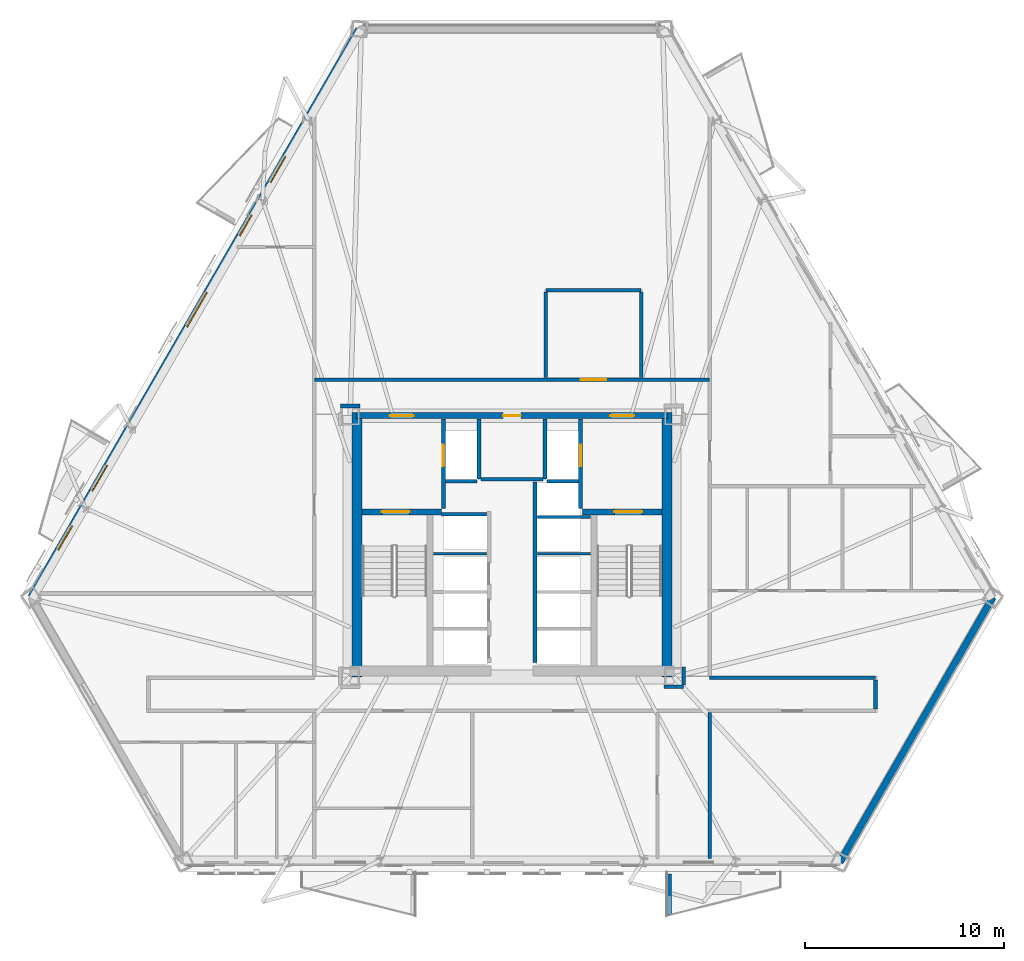
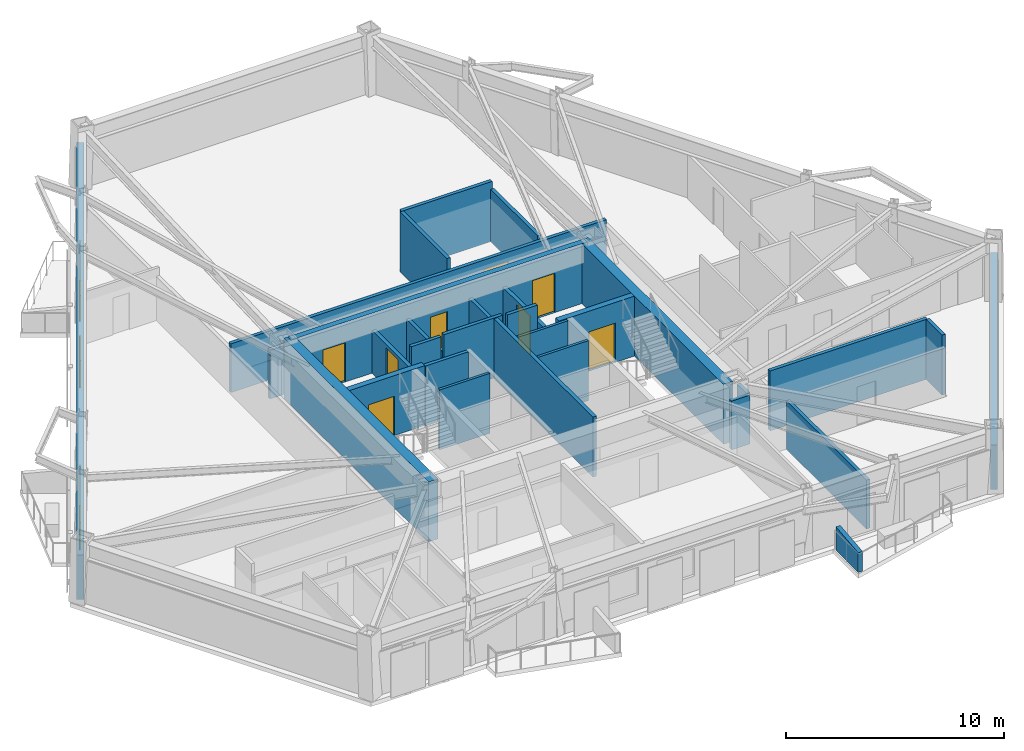
# One storey, part 4 of 13: 30 walls, 10 doors, 3 windows, 13 openings.
"""IFC4 building model written with IfcOpenShell, lengths in metres."""

from ifc_helpers import new_model, si_unit, direction, frame, frame_2d, origin, place, context, subcontext, project, spatial, polyline, rectangle, outline, extrude, material, layer, layer_set, type_object, element, fill, save


model = new_model("IFC4")

# Units and contexts
model_context = context("Model", 3, precision=1e-05, world=origin(), true_north=direction((0.0, 1.0)))
body_context = subcontext(model_context, "Body", "Model", "MODEL_VIEW")
ifc_project = project(units=[si_unit("LENGTHUNIT", "METRE"), si_unit("AREAUNIT", "SQUARE_METRE"), si_unit("VOLUMEUNIT", "CUBIC_METRE"), si_unit("PLANEANGLEUNIT", "RADIAN"), si_unit("MASSUNIT", "GRAM", prefix="KILO")], contexts=[model_context])

# Site, building, storey
site_placement = place(None, origin())
site = spatial("IfcSite", under=ifc_project, at=site_placement, CompositionType="ELEMENT")
building_placement = place(site_placement, origin())
building = spatial("IfcBuilding", under=site, at=building_placement, Name="Oramaril Tower", CompositionType="ELEMENT")
storey_placement = place(building_placement, frame((0.0, 0.0, 38.10009765625)))
storey = spatial("IfcBuildingStorey", under=building, at=storey_placement, Name="L09", CompositionType="ELEMENT", Elevation=38.10009765625)

# Wall
ifc_material_1 = material(Name="Warm Cream Limestone", Category="masonry")
ifc_layer_1 = layer(ifc_material_1, 0.340087890625)
ifc_layer_set_1 = layer_set([ifc_layer_1], Name="WT-EXT34")
wall_type_1 = type_object("IfcWallType", Name="WT-EXT34", PredefinedType="SOLIDWALL", material=ifc_layer_set_1)
wall_1_placement = place(storey_placement, frame((54.010986328125, 1.673828125, 0.0), z_axis=(0.0, 0.0, 1.0), x_axis=(0.499993183949, 0.866029338997, 0.0)))
element("IfcWall", 1, at=wall_1_placement, inside=storey, type_object=wall_type_1, Name="L09 Tower Limestone Facade Wall 3M", PredefinedType="SOLIDWALL", context=body_context, shape_type="SweptSolid", body=[
    extrude(rectangle(XDim=15.404052734375, YDim=0.340087890625, at=frame_2d((7.7021484375, 0.0))), origin(), (0.0, 0.0, 1.0), 2.493896484375),
])

# Wall, openings, doors, windows
wall_2_placement = place(storey_placement, frame((29.7978515625, 43.61181640625, 0.0), z_axis=(0.0, 0.0, 1.0), x_axis=(-0.499997221217, -0.86602700811, 0.0)))
wall_2 = element("IfcWall", 2, at=wall_2_placement, inside=storey, type_object=wall_type_1, Name="L09 Tower Limestone Facade Wall 6M", PredefinedType="SOLIDWALL", context=body_context, shape_type="SweptSolid", body=[
    extrude(rectangle(XDim=33.021728515625, YDim=0.340087890625, at=frame_2d((16.5107421875, 0.0))), origin(), (0.0, 0.0, 1.0), 2.493896484375),
])
opening_1_placement = place(wall_2_placement, frame((7.404296875, 0.0, 0.0)))
opening_1 = element("IfcOpeningElement", 3, at=opening_1_placement, cuts=wall_2, Name="Opening D-L09-BAL-NW1", PredefinedType="OPENING", context=body_context, shape_type="SweptSolid", body=[
    extrude(rectangle(XDim=1.5, YDim=2.199951171875, at=frame_2d((0.75, 1.10009765625))), frame((0.0, 0.169921875, 0.0), z_axis=(0.0, -1.0, 0.0), x_axis=(1.0, 0.0, 0.0)), (0.0, 0.0, 1.0), 0.340087890625),
])
opening_2_placement = place(wall_2_placement, frame((25.3623046875, 0.0, 0.0)))
opening_2 = element("IfcOpeningElement", 4, at=opening_2_placement, cuts=wall_2, Name="Opening D-L09-BAL-NW2", PredefinedType="OPENING", context=body_context, shape_type="SweptSolid", body=[
    extrude(rectangle(XDim=1.5, YDim=2.199951171875, at=frame_2d((0.75, 1.10009765625))), frame((0.0, 0.169921875, 0.0), z_axis=(0.0, -1.0, 0.0), x_axis=(1.0, 0.0, 0.0)), (0.0, 0.0, 1.0), 0.340087890625),
])
opening_3_placement = place(wall_2_placement, frame((15.3154296875, 0.0, 0.85009765625)))
opening_3 = element("IfcOpeningElement", 5, at=opening_3_placement, cuts=wall_2, Name="Opening WN-05", PredefinedType="OPENING", context=body_context, shape_type="SweptSolid", body=[
    extrude(rectangle(XDim=2.0, YDim=1.533935546875, at=frame_2d((1.0, 0.76708984375))), frame((0.0, 0.169921875, 0.0), z_axis=(0.0, -1.0, 0.0), x_axis=(1.0, 0.0, 0.0)), (0.0, 0.0, 1.0), 0.340087890625),
])
opening_4_placement = place(wall_2_placement, frame((28.87890625, 0.0, 0.85009765625)))
opening_4 = element("IfcOpeningElement", 6, at=opening_4_placement, cuts=wall_2, Name="Opening WN-08", PredefinedType="OPENING", context=body_context, shape_type="SweptSolid", body=[
    extrude(rectangle(XDim=1.39990234375, YDim=1.533935546875, at=frame_2d((0.699951171875, 0.76708984375))), frame((0.0, 0.169921875, 0.0), z_axis=(0.0, -1.0, 0.0), x_axis=(1.0, 0.0, 0.0)), (0.0, 0.0, 1.0), 0.340087890625),
])
opening_5_placement = place(wall_2_placement, frame((10.808349609375, 0.0, 0.85009765625)))
opening_5 = element("IfcOpeningElement", 7, at=opening_5_placement, cuts=wall_2, Name="Opening WN-09", PredefinedType="OPENING", context=body_context, shape_type="SweptSolid", body=[
    extrude(rectangle(XDim=1.199951171875, YDim=1.47998046875, at=frame_2d((0.60009765625, 0.739990234375))), frame((0.0, 0.169921875, 0.0), z_axis=(0.0, -1.0, 0.0), x_axis=(1.0, 0.0, 0.0)), (0.0, 0.0, 1.0), 0.340087890625),
])
ifc_material_2 = material(Name="Anodised Aluminium 6063-T6", Category="aluminium")
door_type_1 = type_object("IfcDoorType", Name="DT-BAL", OperationType="NOTDEFINED", PredefinedType="DOOR", material=ifc_material_2)
door_1_placement = place(opening_1_placement, origin())
door_1 = element("IfcDoor", 8, at=door_1_placement, inside=storey, type_object=door_type_1, Name="L09 Balcony Glazed Door L09-BAL-NW1", OperationType="SINGLE_SWING_RIGHT", OverallHeight=2.199951171875, OverallWidth=1.5, PredefinedType="DOOR", context=body_context, shape_type="SweptSolid", body=[
    extrude(rectangle(XDim=1.5, YDim=2.199951171875, at=frame_2d((0.75, 1.10009765625))), frame((0.0, 0.02490234375, 0.0), z_axis=(0.0, -1.0, 0.0), x_axis=(1.0, 0.0, 0.0)), (0.0, 0.0, 1.0), 0.050048828125),
])
fill(opening_1, door_1)
door_2_placement = place(opening_2_placement, origin())
door_2 = element("IfcDoor", 9, at=door_2_placement, inside=storey, type_object=door_type_1, Name="L09 Balcony Glazed Door L09-BAL-NW2", OperationType="SINGLE_SWING_LEFT", OverallHeight=2.199951171875, OverallWidth=1.5, PredefinedType="DOOR", context=body_context, shape_type="SweptSolid", body=[
    extrude(rectangle(XDim=1.5, YDim=2.199951171875, at=frame_2d((0.75, 1.10009765625))), frame((0.0, 0.02490234375, 0.0), z_axis=(0.0, -1.0, 0.0), x_axis=(1.0, 0.0, 0.0)), (0.0, 0.0, 1.0), 0.050048828125),
])
fill(opening_2, door_2)
ifc_material_3 = material(Name="Coastal Low-E Insulated Glass", Category="glass")
window_type_1 = type_object("IfcWindowType", Name="WNT-05", PartitioningType="SINGLE_PANEL", PredefinedType="WINDOW", material=ifc_material_3)
window_1_placement = place(opening_3_placement, origin())
window_1 = element("IfcWindow", 10, at=window_1_placement, inside=storey, type_object=window_type_1, Name="L09 Chicago Bay Window WN-05", OverallHeight=1.533935546875, OverallWidth=2.0, PartitioningType="SINGLE_PANEL", PredefinedType="WINDOW", context=body_context, shape_type="SweptSolid", body=[
    extrude(rectangle(XDim=2.0, YDim=1.533935546875, at=frame_2d((1.0, 0.76708984375))), frame((0.0, 0.030029296875, 0.0), z_axis=(0.0, -1.0, 0.0), x_axis=(1.0, 0.0, 0.0)), (0.0, 0.0, 1.0), 0.06005859375),
])
fill(opening_3, window_1)
ifc_material_4 = material(Name="Coastal Low-E Insulated Glass", Category="glass")
window_type_2 = type_object("IfcWindowType", Name="WNT-08", PartitioningType="SINGLE_PANEL", PredefinedType="WINDOW", material=ifc_material_4)
window_2_placement = place(opening_4_placement, origin())
window_2 = element("IfcWindow", 11, at=window_2_placement, inside=storey, type_object=window_type_2, Name="L09 Chicago Bay Window WN-08", OverallHeight=1.533935546875, OverallWidth=1.39990234375, PartitioningType="SINGLE_PANEL", PredefinedType="WINDOW", context=body_context, shape_type="SweptSolid", body=[
    extrude(rectangle(XDim=1.39990234375, YDim=1.533935546875, at=frame_2d((0.699951171875, 0.76708984375))), frame((0.0, 0.030029296875, 0.0), z_axis=(0.0, -1.0, 0.0), x_axis=(1.0, 0.0, 0.0)), (0.0, 0.0, 1.0), 0.06005859375),
])
fill(opening_4, window_2)
ifc_material_5 = material(Name="Coastal Low-E Insulated Glass", Category="glass")
window_type_3 = type_object("IfcWindowType", Name="WNT-09", PartitioningType="SINGLE_PANEL", PredefinedType="WINDOW", material=ifc_material_5)
window_3_placement = place(opening_5_placement, origin())
window_3 = element("IfcWindow", 12, at=window_3_placement, inside=storey, type_object=window_type_3, Name="L09 Chicago Bay Window WN-09", OverallHeight=1.47998046875, OverallWidth=1.199951171875, PartitioningType="SINGLE_PANEL", PredefinedType="WINDOW", context=body_context, shape_type="SweptSolid", body=[
    extrude(rectangle(XDim=1.199951171875, YDim=1.47998046875, at=frame_2d((0.60009765625, 0.739990234375))), frame((0.0, 0.030029296875, 0.0), z_axis=(0.0, -1.0, 0.0), x_axis=(1.0, 0.0, 0.0)), (0.0, 0.0, 1.0), 0.06005859375),
])
fill(opening_5, window_3)

# Walls
ifc_material_6 = material(Name="Concrete C40/50", Category="concrete")
ifc_layer_2 = layer(ifc_material_6, 0.22998046875)
ifc_layer_set_2 = layer_set([ifc_layer_2], Name="WT-PRP23")
wall_type_2 = type_object("IfcWallType", Name="WT-PRP23", PredefinedType="PARAPET", material=ifc_layer_set_2)
wall_3_placement = place(storey_placement, frame((45.406494140625, 1.07568359375, 0.0), z_axis=(0.0, 0.0, 1.0), x_axis=(0.0, -1.0, 0.0)))
element("IfcWall", 13, at=wall_3_placement, inside=storey, type_object=wall_type_2, Name="L09 Trapezoidal Balcony Frame Cheek L09-BAL-S2-L", PredefinedType="PARAPET", context=body_context, shape_type="SweptSolid", body=[
    extrude(outline(polyline([(0.0, 0.0), (2.0419921875, 0.0), (2.0419921875, 1.099853515625), (0.0, 1.31982421875), (0.0, 0.0)])), frame((0.0, 0.114990234375, 0.0), z_axis=(0.0, -1.0, 0.0), x_axis=(1.0, 0.0, 0.0)), (0.0, 0.0, 1.0), 0.22998046875),
])
ifc_material_7 = material(Name="Acoustic Gypsum Board Partition")
ifc_layer_3 = layer(ifc_material_7, 0.139892578125)
ifc_layer_set_3 = layer_set([ifc_layer_3], Name="WT-PT14")
wall_type_3 = type_object("IfcWallType", Name="WT-PT14", PredefinedType="PARTITIONING", material=ifc_layer_set_3)
for number, where, z_axis, x_axis, name in (
    (14, (33.56005859375, 17.199951171875, 0.0), (0.0, 0.0, 1.0), (1.0, 0.0, 0.0), "L09 West Lift Divider"),
    (15, (38.780029296875, 17.199951171875, 0.0), (0.0, 0.0, 1.0), (1.0, 0.0, 0.0), "L09 East Lift Divider"),
    (16, (38.780029296875, 19.050048828125, 0.0), (0.0, 0.0, 1.0), (1.0, 0.0, 0.0), "L09 East Lift Divider"),
):
    element("IfcWall", number, at=place(storey_placement, frame(where, z_axis=z_axis, x_axis=x_axis)), inside=storey, type_object=wall_type_3, Name=name, PredefinedType="PARTITIONING", context=body_context, shape_type="SweptSolid", body=[
        extrude(rectangle(XDim=2.659912109375, YDim=0.139892578125, at=frame_2d((1.330078125, 0.0))), origin(), (0.0, 0.0, 1.0), 3.35986328125),
    ])
ifc_material_8 = material(Name="Autoclaved Cellular Concrete Block", Category="concrete")
ifc_layer_4 = layer(ifc_material_8, 0.179931640625)
ifc_layer_set_4 = layer_set([ifc_layer_4], Name="WT-PT18")
wall_type_4 = type_object("IfcWallType", Name="WT-PT18", PredefinedType="PARTITIONING", material=ifc_layer_set_4)
wall_4_placement = place(storey_placement, frame((35.840087890625, 20.9599609375, 0.0), z_axis=(0.0, 0.0, 1.0), x_axis=(0.0, 1.0, 0.0)))
element("IfcWall", 17, at=wall_4_placement, inside=storey, type_object=wall_type_4, Name="L09 FL-1 East Shaft Wall", PredefinedType="PARTITIONING", context=body_context, shape_type="SweptSolid", body=[
    extrude(rectangle(XDim=3.02001953125, YDim=0.179931640625, at=frame_2d((1.510009765625, 0.0))), origin(), (0.0, 0.0, 1.0), 2.39990234375),
])
wall_5_placement = place(storey_placement, frame((34.159912109375, 20.860107421875, 0.0), z_axis=(0.0, 0.0, 1.0), x_axis=(1.0, 0.0, 0.0)))
element("IfcWall", 18, at=wall_5_placement, inside=storey, type_object=wall_type_4, Name="L09 FL-1 South Shaft Wall", PredefinedType="PARTITIONING", context=body_context, shape_type="SweptSolid", body=[
    extrude(rectangle(XDim=1.580078125, YDim=0.179931640625, at=frame_2d((0.7900390625, 0.0))), origin(), (0.0, 0.0, 1.0), 3.35986328125),
])
wall_6_placement = place(storey_placement, frame((39.159912109375, 20.9599609375, 0.0), z_axis=(0.0, 0.0, 1.0), x_axis=(0.0, 1.0, 0.0)))
element("IfcWall", 19, at=wall_6_placement, inside=storey, type_object=wall_type_4, Name="L09 FL-2 West Shaft Wall", PredefinedType="PARTITIONING", context=body_context, shape_type="SweptSolid", body=[
    extrude(rectangle(XDim=3.02001953125, YDim=0.179931640625, at=frame_2d((1.510009765625, 0.0))), origin(), (0.0, 0.0, 1.0), 2.39990234375),
])
wall_7_placement = place(storey_placement, frame((39.260009765625, 20.860107421875, 0.0), z_axis=(0.0, 0.0, 1.0), x_axis=(1.0, 0.0, 0.0)))
element("IfcWall", 20, at=wall_7_placement, inside=storey, type_object=wall_type_4, Name="L09 FL-2 South Shaft Wall", PredefinedType="PARTITIONING", context=body_context, shape_type="SweptSolid", body=[
    extrude(rectangle(XDim=1.580078125, YDim=0.179931640625, at=frame_2d((0.7900390625, 0.0))), origin(), (0.0, 0.0, 1.0), 3.35986328125),
])
wall_8_placement = place(storey_placement, frame((33.949951171875, 19.199951171875, 0.0), z_axis=(0.0, 0.0, 1.0), x_axis=(1.0, 0.0, 0.0)))
element("IfcWall", 21, at=wall_8_placement, inside=storey, type_object=wall_type_4, Name="L09 High-Rise Lift H1 North Shaft Wall", PredefinedType="PARTITIONING", context=body_context, shape_type="SweptSolid", body=[
    extrude(rectangle(XDim=2.27001953125, YDim=0.179931640625, at=frame_2d((1.135009765625, 0.0))), origin(), (0.0, 0.0, 1.0), 3.35986328125),
])
wall_9_placement = place(storey_placement, frame((35.949951171875, 20.949951171875, 0.0), z_axis=(0.0, 0.0, 1.0), x_axis=(1.0, 0.0, 0.0)))
element("IfcWall", 22, at=wall_9_placement, inside=storey, type_object=wall_type_4, Name="L09 Lift Lobby North Partition", PredefinedType="PARTITIONING", context=body_context, shape_type="SweptSolid", body=[
    extrude(rectangle(XDim=3.10009765625, YDim=0.179931640625, at=frame_2d((1.550048828125, 0.0))), origin(), (0.0, 0.0, 1.0), 3.35986328125),
])
wall_10_placement = place(storey_placement, frame((45.159912109375, 10.510009765625, 0.0), z_axis=(0.0, 0.0, 1.0), x_axis=(1.0, 0.0, 0.0)))
element("IfcWall", 23, at=wall_10_placement, inside=storey, type_object=wall_type_4, Name="L09 Interior Partition PT-18", PredefinedType="PARTITIONING", context=body_context, shape_type="SweptSolid", body=[
    extrude(rectangle(XDim=0.97998046875, YDim=0.179931640625, at=frame_2d((0.489990234375, 0.0))), origin(), (0.0, 0.0, 1.0), 2.73779296875),
])
wall_11_placement = place(storey_placement, frame((47.449951171875, 10.949951171875, 0.0), z_axis=(0.0, 0.0, 1.0), x_axis=(1.0, 0.0, 0.0)))
element("IfcWall", 24, at=wall_11_placement, inside=storey, type_object=wall_type_4, Name="L09 Interior Partition PT-18", PredefinedType="PARTITIONING", context=body_context, shape_type="SweptSolid", body=[
    extrude(rectangle(XDim=8.35009765625, YDim=0.179931640625, at=frame_2d((4.175048828125, 0.0))), origin(), (0.0, 0.0, 1.0), 3.35986328125),
])
wall_12_placement = place(storey_placement, frame((28.85498046875, 24.639892578125, 0.0), z_axis=(0.0, 0.0, 1.0), x_axis=(1.0, 0.0, 0.0)))
element("IfcWall", 25, at=wall_12_placement, inside=storey, type_object=wall_type_4, Name="L09 Interior Partition PT-18", PredefinedType="PARTITIONING", context=body_context, shape_type="SweptSolid", body=[
    extrude(rectangle(XDim=0.989990234375, YDim=0.179931640625, at=frame_2d((0.4951171875, 0.0))), origin(), (0.0, 0.0, 1.0), 2.73779296875),
])

# Wall, opening, door
wall_13_placement = place(storey_placement, frame((27.550048828125, 25.969970703125, 0.0), z_axis=(0.0, 0.0, 1.0), x_axis=(1.0, 0.0, 0.0)))
wall_13 = element("IfcWall", 26, at=wall_13_placement, inside=storey, type_object=wall_type_4, Name="L09 Interior Partition PT-18", PredefinedType="PARTITIONING", context=body_context, shape_type="SweptSolid", body=[
    extrude(rectangle(XDim=19.89990234375, YDim=0.179931640625, at=frame_2d((9.949951171875, 0.0))), origin(), (0.0, 0.0, 1.0), 2.73779296875),
])
opening_6_placement = place(wall_13_placement, frame((13.39990234375, 0.0, 0.0)))
opening_6 = element("IfcOpeningElement", 27, at=opening_6_placement, cuts=wall_13, Name="Opening D-L09-15", PredefinedType="OPENING", context=body_context, shape_type="SweptSolid", body=[
    extrude(rectangle(XDim=1.300048828125, YDim=2.199951171875, at=frame_2d((0.64990234375, 1.10009765625))), frame((0.0, 0.08984375, 0.0), z_axis=(0.0, -1.0, 0.0), x_axis=(1.0, 0.0, 0.0)), (0.0, 0.0, 1.0), 0.179931640625),
])
ifc_material_9 = material(Name="FSC Brazilian Freijo Hardwood", Category="wood")
door_type_2 = type_object("IfcDoorType", Name="DT-COM", OperationType="NOTDEFINED", PredefinedType="DOOR", material=ifc_material_9)
door_3_placement = place(opening_6_placement, origin())
door_3 = element("IfcDoor", 28, at=door_3_placement, inside=storey, type_object=door_type_2, Name="L09 L09 Residents Floor Meeting Suite Door D-L09-15", OperationType="SINGLE_SWING_LEFT", OverallHeight=2.199951171875, OverallWidth=1.300048828125, PredefinedType="DOOR", context=body_context, shape_type="SweptSolid", body=[
    extrude(rectangle(XDim=1.300048828125, YDim=2.199951171875, at=frame_2d((0.64990234375, 1.10009765625))), frame((0.0, 0.02490234375, 0.0), z_axis=(0.0, -1.0, 0.0), x_axis=(1.0, 0.0, 0.0)), (0.0, 0.0, 1.0), 0.050048828125),
])
fill(opening_6, door_3)

# Walls
wall_14_placement = place(storey_placement, frame((39.199951171875, 30.469970703125, 0.0), z_axis=(0.0, 0.0, 1.0), x_axis=(1.0, 0.0, 0.0)))
element("IfcWall", 29, at=wall_14_placement, inside=storey, type_object=wall_type_4, Name="L09 Interior Partition PT-18", PredefinedType="PARTITIONING", context=body_context, shape_type="SweptSolid", body=[
    extrude(rectangle(XDim=4.800048828125, YDim=0.179931640625, at=frame_2d((2.39990234375, 0.0))), origin(), (0.0, 0.0, 1.0), 3.35986328125),
])
wall_15_placement = place(storey_placement, frame((39.199951171875, 26.06396484375, 0.0), z_axis=(0.0, 0.0, 1.0), x_axis=(0.0, 1.0, 0.0)))
element("IfcWall", 30, at=wall_15_placement, inside=storey, type_object=wall_type_4, Name="L09 Interior Partition PT-18", PredefinedType="PARTITIONING", context=body_context, shape_type="SweptSolid", body=[
    extrude(rectangle(XDim=4.31201171875, YDim=0.179931640625, at=frame_2d((2.156005859375, 0.0))), origin(), (0.0, 0.0, 1.0), 3.35986328125),
])
wall_16_placement = place(storey_placement, frame((44.0, 26.06396484375, 0.0), z_axis=(0.0, 0.0, 1.0), x_axis=(0.0, 1.0, 0.0)))
element("IfcWall", 31, at=wall_16_placement, inside=storey, type_object=wall_type_4, Name="L09 Interior Partition PT-18", PredefinedType="PARTITIONING", context=body_context, shape_type="SweptSolid", body=[
    extrude(rectangle(XDim=4.31201171875, YDim=0.179931640625, at=frame_2d((2.156005859375, 0.0))), origin(), (0.0, 0.0, 1.0), 2.94580078125),
])
wall_17_placement = place(storey_placement, frame((46.14990234375, 10.60400390625, 0.0), z_axis=(0.0, 0.0, 1.0), x_axis=(0.0, 1.0, 0.0)))
element("IfcWall", 32, at=wall_17_placement, inside=storey, type_object=wall_type_4, Name="L09 Interior Partition PT-18", PredefinedType="PARTITIONING", context=body_context, shape_type="SweptSolid", body=[
    extrude(rectangle(XDim=0.89111328125, YDim=0.179931640625, at=frame_2d((0.445556640625, 0.0))), origin(), (0.0, 0.0, 1.0), 2.73779296875),
])
wall_18_placement = place(storey_placement, frame((47.449951171875, 1.847900390625, 0.0), z_axis=(0.0, 0.0, 1.0), x_axis=(0.0, 1.0, 0.0)))
element("IfcWall", 33, at=wall_18_placement, inside=storey, type_object=wall_type_4, Name="L09 Interior Partition PT-18", PredefinedType="PARTITIONING", context=body_context, shape_type="SweptSolid", body=[
    extrude(rectangle(XDim=7.358154296875, YDim=0.179931640625, at=frame_2d((3.67919921875, 0.0))), origin(), (0.0, 0.0, 1.0), 2.73779296875),
])
wall_19_placement = place(storey_placement, frame((55.800048828125, 9.39404296875, 0.0), z_axis=(0.0, 0.0, 1.0), x_axis=(0.0, 1.0, 0.0)))
element("IfcWall", 34, at=wall_19_placement, inside=storey, type_object=wall_type_4, Name="L09 Interior Partition PT-18", PredefinedType="PARTITIONING", context=body_context, shape_type="SweptSolid", body=[
    extrude(rectangle(XDim=1.4619140625, YDim=0.179931640625, at=frame_2d((0.73095703125, 0.0))), origin(), (0.0, 0.0, 1.0), 3.35986328125),
])

# Wall, openings, doors
ifc_material_10 = material(Name="Concrete C50/60", Category="concrete")
ifc_layer_5 = layer(ifc_material_10, 0.300048828125)
ifc_layer_set_5 = layer_set([ifc_layer_5], Name="WT-SH30")
wall_type_5 = type_object("IfcWallType", Name="WT-SH30", PredefinedType="SHEAR", material=ifc_layer_set_5)
wall_20_placement = place(storey_placement, frame((29.64990234375, 24.14990234375, 0.0), z_axis=(0.0, 0.0, 1.0), x_axis=(1.0, 0.0, 0.0)))
wall_20 = element("IfcWall", 35, at=wall_20_placement, inside=storey, type_object=wall_type_5, Name="L09 Core Shear Wall CW-N", PredefinedType="SHEAR", context=body_context, shape_type="SweptSolid", body=[
    extrude(rectangle(XDim=15.7001953125, YDim=0.300048828125, at=frame_2d((7.85009765625, 0.0))), origin(), (0.0, 0.0, 1.0), 3.35986328125),
])
opening_7_placement = place(wall_20_placement, frame((1.699951171875, 0.0, 0.0)))
opening_7 = element("IfcOpeningElement", 36, at=opening_7_placement, cuts=wall_20, Name="Opening D-L09-FFL1", PredefinedType="OPENING", context=body_context, shape_type="SweptSolid", body=[
    extrude(rectangle(XDim=1.199951171875, YDim=2.199951171875, at=frame_2d((0.60009765625, 1.10009765625))), frame((0.0, 0.14990234375, 0.0), z_axis=(0.0, -1.0, 0.0), x_axis=(1.0, 0.0, 0.0)), (0.0, 0.0, 1.0), 0.300048828125),
])
opening_8_placement = place(wall_20_placement, frame((12.800048828125, 0.0, 0.0)))
opening_8 = element("IfcOpeningElement", 37, at=opening_8_placement, cuts=wall_20, Name="Opening D-L09-FFL2", PredefinedType="OPENING", context=body_context, shape_type="SweptSolid", body=[
    extrude(rectangle(XDim=1.199951171875, YDim=2.199951171875, at=frame_2d((0.60009765625, 1.10009765625))), frame((0.0, 0.14990234375, 0.0), z_axis=(0.0, -1.0, 0.0), x_axis=(1.0, 0.0, 0.0)), (0.0, 0.0, 1.0), 0.300048828125),
])
opening_9_placement = place(wall_20_placement, frame((7.39990234375, 0.0, 0.0)))
opening_9 = element("IfcOpeningElement", 38, at=opening_9_placement, cuts=wall_20, Name="Opening D-L09-SV1", PredefinedType="OPENING", context=body_context, shape_type="SweptSolid", body=[
    extrude(rectangle(XDim=0.89990234375, YDim=2.050048828125, at=frame_2d((0.449951171875, 1.02490234375))), frame((0.0, 0.14990234375, 0.0), z_axis=(0.0, -1.0, 0.0), x_axis=(1.0, 0.0, 0.0)), (0.0, 0.0, 1.0), 0.300048828125),
])
ifc_material_11 = material(Name="Painted Galvanised Steel", Category="steel")
door_type_3 = type_object("IfcDoorType", Name="DT-FFL", OperationType="NOTDEFINED", PredefinedType="DOOR", material=ifc_material_11)
door_4_placement = place(opening_7_placement, origin())
door_4 = element("IfcDoor", 39, at=door_4_placement, inside=storey, type_object=door_type_3, Name="L09 Firefighting Lobby 1 Fire Door", OperationType="SINGLE_SWING_LEFT", OverallHeight=2.199951171875, OverallWidth=1.199951171875, PredefinedType="DOOR", context=body_context, shape_type="SweptSolid", body=[
    extrude(rectangle(XDim=1.199951171875, YDim=2.199951171875, at=frame_2d((0.60009765625, 1.10009765625))), frame((0.0, 0.02490234375, 0.0), z_axis=(0.0, -1.0, 0.0), x_axis=(1.0, 0.0, 0.0)), (0.0, 0.0, 1.0), 0.050048828125),
])
fill(opening_7, door_4)
door_5_placement = place(opening_8_placement, origin())
door_5 = element("IfcDoor", 40, at=door_5_placement, inside=storey, type_object=door_type_3, Name="L09 Firefighting Lobby 2 Fire Door", OperationType="SINGLE_SWING_RIGHT", OverallHeight=2.199951171875, OverallWidth=1.199951171875, PredefinedType="DOOR", context=body_context, shape_type="SweptSolid", body=[
    extrude(rectangle(XDim=1.199951171875, YDim=2.199951171875, at=frame_2d((0.60009765625, 1.10009765625))), frame((0.0, 0.02490234375, 0.0), z_axis=(0.0, -1.0, 0.0), x_axis=(1.0, 0.0, 0.0)), (0.0, 0.0, 1.0), 0.050048828125),
])
fill(opening_8, door_5)
ifc_material_12 = material(Name="Painted Galvanised Steel", Category="steel")
door_type_4 = type_object("IfcDoorType", Name="DT-SVC", OperationType="NOTDEFINED", PredefinedType="DOOR", material=ifc_material_12)
door_6_placement = place(opening_9_placement, origin())
door_6 = element("IfcDoor", 41, at=door_6_placement, inside=storey, type_object=door_type_4, Name="L09 Core Janitor Store Door", OperationType="SINGLE_SWING_LEFT", OverallHeight=2.050048828125, OverallWidth=0.89990234375, PredefinedType="DOOR", context=body_context, shape_type="SweptSolid", body=[
    extrude(rectangle(XDim=0.89990234375, YDim=2.050048828125, at=frame_2d((0.449951171875, 1.02490234375))), frame((0.0, 0.02490234375, 0.0), z_axis=(0.0, -1.0, 0.0), x_axis=(1.0, 0.0, 0.0)), (0.0, 0.0, 1.0), 0.050048828125),
])
fill(opening_9, door_6)

# Wall, opening, door
wall_21_placement = place(storey_placement, frame((29.93994140625, 19.31005859375, 0.0), z_axis=(0.0, 0.0, 1.0), x_axis=(1.0, 0.0, 0.0)))
wall_21 = element("IfcWall", 42, at=wall_21_placement, inside=storey, type_object=wall_type_5, Name="L09 Core Shear Wall CW-ST1N", PredefinedType="SHEAR", context=body_context, shape_type="SweptSolid", body=[
    extrude(rectangle(XDim=4.010009765625, YDim=0.300048828125, at=frame_2d((2.0048828125, 0.0))), origin(), (0.0, 0.0, 1.0), 3.35986328125),
])
opening_10_placement = place(wall_21_placement, frame((1.010009765625, 0.0, 0.0)))
opening_10 = element("IfcOpeningElement", 43, at=opening_10_placement, cuts=wall_21, Name="Opening D-L09-ST1", PredefinedType="OPENING", context=body_context, shape_type="SweptSolid", body=[
    extrude(rectangle(XDim=1.39990234375, YDim=2.199951171875, at=frame_2d((0.699951171875, 1.10009765625))), frame((0.0, 0.14990234375, 0.0), z_axis=(0.0, -1.0, 0.0), x_axis=(1.0, 0.0, 0.0)), (0.0, 0.0, 1.0), 0.300048828125),
])
ifc_material_13 = material(Name="Painted Galvanised Steel", Category="steel")
door_type_5 = type_object("IfcDoorType", Name="DT-ST", OperationType="NOTDEFINED", PredefinedType="DOOR", material=ifc_material_13)
door_7_placement = place(opening_10_placement, origin())
door_7 = element("IfcDoor", 44, at=door_7_placement, inside=storey, type_object=door_type_5, Name="L09 Protected Stair ST-1 Fire Door", OperationType="SINGLE_SWING_LEFT", OverallHeight=2.199951171875, OverallWidth=1.39990234375, PredefinedType="DOOR", context=body_context, shape_type="SweptSolid", body=[
    extrude(rectangle(XDim=1.39990234375, YDim=2.199951171875, at=frame_2d((0.699951171875, 1.10009765625))), frame((0.0, 0.02490234375, 0.0), z_axis=(0.0, -1.0, 0.0), x_axis=(1.0, 0.0, 0.0)), (0.0, 0.0, 1.0), 0.050048828125),
])
fill(opening_10, door_7)

wall_22_placement = place(storey_placement, frame((41.050048828125, 19.31005859375, 0.0), z_axis=(0.0, 0.0, 1.0), x_axis=(1.0, 0.0, 0.0)))
wall_22 = element("IfcWall", 45, at=wall_22_placement, inside=storey, type_object=wall_type_5, Name="L09 Core Shear Wall CW-ST2N", PredefinedType="SHEAR", context=body_context, shape_type="SweptSolid", body=[
    extrude(rectangle(XDim=4.010009765625, YDim=0.300048828125, at=frame_2d((2.0048828125, 0.0))), origin(), (0.0, 0.0, 1.0), 3.35986328125),
])
opening_11_placement = place(wall_22_placement, frame((1.60009765625, 0.0, 0.0)))
opening_11 = element("IfcOpeningElement", 46, at=opening_11_placement, cuts=wall_22, Name="Opening D-L09-ST2", PredefinedType="OPENING", context=body_context, shape_type="SweptSolid", body=[
    extrude(rectangle(XDim=1.39990234375, YDim=2.199951171875, at=frame_2d((0.699951171875, 1.10009765625))), frame((0.0, 0.14990234375, 0.0), z_axis=(0.0, -1.0, 0.0), x_axis=(1.0, 0.0, 0.0)), (0.0, 0.0, 1.0), 0.300048828125),
])
door_8_placement = place(opening_11_placement, origin())
door_8 = element("IfcDoor", 47, at=door_8_placement, inside=storey, type_object=door_type_5, Name="L09 Protected Stair ST-2 Fire Door", OperationType="SINGLE_SWING_RIGHT", OverallHeight=2.199951171875, OverallWidth=1.39990234375, PredefinedType="DOOR", context=body_context, shape_type="SweptSolid", body=[
    extrude(rectangle(XDim=1.39990234375, YDim=2.199951171875, at=frame_2d((0.699951171875, 1.10009765625))), frame((0.0, 0.02490234375, 0.0), z_axis=(0.0, -1.0, 0.0), x_axis=(1.0, 0.0, 0.0)), (0.0, 0.0, 1.0), 0.050048828125),
])
fill(opening_11, door_8)

# Walls
ifc_material_14 = material(Name="Concrete C50/60", Category="concrete")
ifc_layer_6 = layer(ifc_material_14, 0.5)
ifc_layer_set_6 = layer_set([ifc_layer_6], Name="WT-SH50")
wall_type_6 = type_object("IfcWallType", Name="WT-SH50", PredefinedType="SHEAR", material=ifc_layer_set_6)
for number, where, z_axis, x_axis, name in (
    (48, (29.68994140625, 11.0, 0.0), (0.0, 0.0, 1.0), (0.0, 1.0, 0.0), "L09 Core Shear Wall CW-W"),
    (49, (45.31005859375, 11.0, 0.0), (0.0, 0.0, 1.0), (0.0, 1.0, 0.0), "L09 Core Shear Wall CW-E"),
):
    element("IfcWall", number, at=place(storey_placement, frame(where, z_axis=z_axis, x_axis=x_axis)), inside=storey, type_object=wall_type_6, Name=name, PredefinedType="SHEAR", context=body_context, shape_type="SweptSolid", body=[
        extrude(rectangle(XDim=13.300048828125, YDim=0.5, at=frame_2d((6.64990234375, 0.0))), origin(), (0.0, 0.0, 1.0), 3.35986328125),
    ])

# Wall, opening, door
ifc_material_15 = material(Name="Autoclaved Cellular Concrete Block", Category="concrete")
ifc_layer_7 = layer(ifc_material_15, 0.199951171875)
ifc_layer_set_7 = layer_set([ifc_layer_7], Name="WT-SHF20")
wall_type_7 = type_object("IfcWallType", Name="WT-SHF20", PredefinedType="PARTITIONING", material=ifc_layer_set_7)
wall_23_placement = place(storey_placement, frame((34.0400390625, 19.47998046875, 0.0), z_axis=(0.0, 0.0, 1.0), x_axis=(0.0, 1.0, 0.0)))
wall_23 = element("IfcWall", 50, at=wall_23_placement, inside=storey, type_object=wall_type_7, Name="L09 FL-1 Lobby Shaft Wall", PredefinedType="PARTITIONING", context=body_context, shape_type="SweptSolid", body=[
    extrude(rectangle(XDim=4.5, YDim=0.199951171875, at=frame_2d((2.25, 0.0))), origin(), (0.0, 0.0, 1.0), 2.39990234375),
])
opening_12_placement = place(wall_23_placement, frame((2.1201171875, 0.0, 0.0)))
opening_12 = element("IfcOpeningElement", 51, at=opening_12_placement, cuts=wall_23, Name="Opening LD-L09-FL-1", PredefinedType="OPENING", context=body_context, shape_type="SweptSolid", body=[
    extrude(rectangle(XDim=1.10009765625, YDim=2.199951171875, at=frame_2d((0.550048828125, 1.10009765625))), frame((0.0, 0.10009765625, 0.0), z_axis=(0.0, -1.0, 0.0), x_axis=(1.0, 0.0, 0.0)), (0.0, 0.0, 1.0), 0.199951171875),
])
ifc_material_16 = material(Name="Stainless Steel 316L", Category="steel")
door_type_6 = type_object("IfcDoorType", Name="DT-LD1", OperationType="NOTDEFINED", PredefinedType="DOOR", material=ifc_material_16)
door_9_placement = place(opening_12_placement, origin())
door_9 = element("IfcDoor", 52, at=door_9_placement, inside=storey, type_object=door_type_6, Name="L09 Lift FL-1 Sliding Landing Door", OperationType="SLIDING_TO_LEFT", OverallHeight=2.199951171875, OverallWidth=1.10009765625, PredefinedType="DOOR", context=body_context, shape_type="SweptSolid", body=[
    extrude(rectangle(XDim=1.10009765625, YDim=2.199951171875, at=frame_2d((0.550048828125, 1.10009765625))), frame((0.0, 0.02490234375, 0.0), z_axis=(0.0, -1.0, 0.0), x_axis=(1.0, 0.0, 0.0)), (0.0, 0.0, 1.0), 0.050048828125),
])
fill(opening_12, door_9)

wall_24_placement = place(storey_placement, frame((40.9599609375, 19.47998046875, 0.0), z_axis=(0.0, 0.0, 1.0), x_axis=(0.0, 1.0, 0.0)))
wall_24 = element("IfcWall", 53, at=wall_24_placement, inside=storey, type_object=wall_type_7, Name="L09 FL-2 Lobby Shaft Wall", PredefinedType="PARTITIONING", context=body_context, shape_type="SweptSolid", body=[
    extrude(rectangle(XDim=4.5, YDim=0.199951171875, at=frame_2d((2.25, 0.0))), origin(), (0.0, 0.0, 1.0), 2.39990234375),
])
opening_13_placement = place(wall_24_placement, frame((2.1201171875, 0.0, 0.0)))
opening_13 = element("IfcOpeningElement", 54, at=opening_13_placement, cuts=wall_24, Name="Opening LD-L09-FL-2", PredefinedType="OPENING", context=body_context, shape_type="SweptSolid", body=[
    extrude(rectangle(XDim=1.10009765625, YDim=2.199951171875, at=frame_2d((0.550048828125, 1.10009765625))), frame((0.0, 0.10009765625, 0.0), z_axis=(0.0, -1.0, 0.0), x_axis=(1.0, 0.0, 0.0)), (0.0, 0.0, 1.0), 0.199951171875),
])
door_10_placement = place(opening_13_placement, origin())
door_10 = element("IfcDoor", 55, at=door_10_placement, inside=storey, type_object=door_type_6, Name="L09 Lift FL-2 Sliding Landing Door", OperationType="SLIDING_TO_RIGHT", OverallHeight=2.199951171875, OverallWidth=1.10009765625, PredefinedType="DOOR", context=body_context, shape_type="SweptSolid", body=[
    extrude(rectangle(XDim=1.10009765625, YDim=2.199951171875, at=frame_2d((0.550048828125, 1.10009765625))), frame((0.0, 0.02490234375, 0.0), z_axis=(0.0, -1.0, 0.0), x_axis=(1.0, 0.0, 0.0)), (0.0, 0.0, 1.0), 0.050048828125),
])
fill(opening_13, door_10)

# Wall
wall_25_placement = place(storey_placement, frame((38.659912109375, 11.719970703125, 0.0), z_axis=(0.0, 0.0, 1.0), x_axis=(0.0, 1.0, 0.0)))
element("IfcWall", 56, at=wall_25_placement, inside=storey, type_object=wall_type_7, Name="L09 East Lift Bank Front Wall", PredefinedType="PARTITIONING", context=body_context, shape_type="SweptSolid", body=[
    extrude(rectangle(XDim=9.10009765625, YDim=0.199951171875, at=frame_2d((4.550048828125, 0.0))), origin(), (0.0, 0.0, 1.0), 3.35986328125),
])

save(model, "model.ifc")
